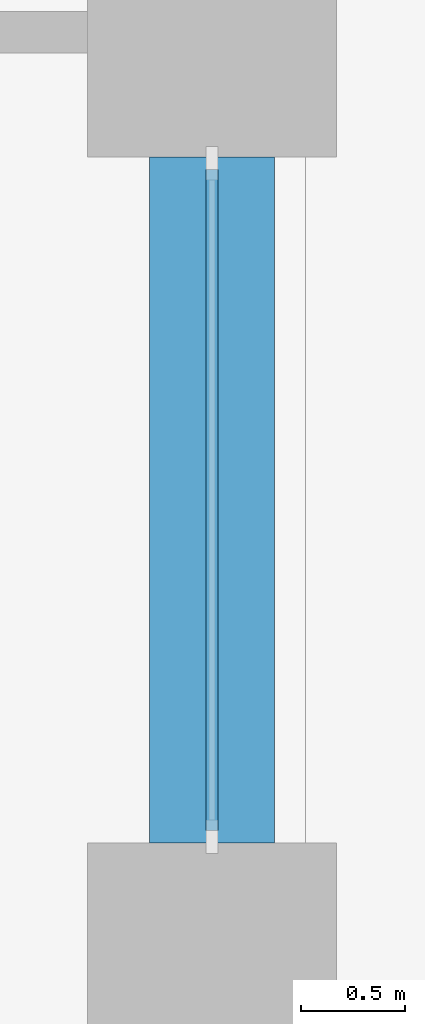
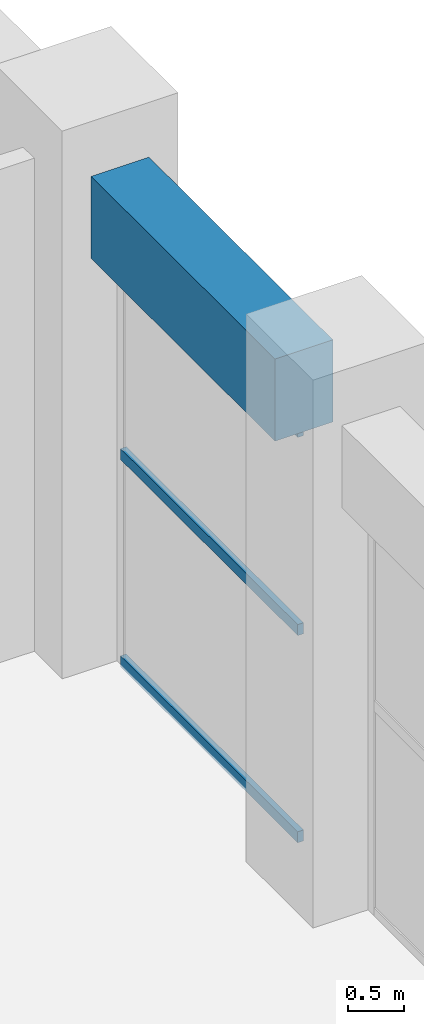
# One storey, part 5 of 24: 3 members, 1 beam, 1 element without a shape of its own.
"""IFC4 building model written with IfcOpenShell, lengths in metres."""

import ifcopenshell
import ifcopenshell.guid

model = None  # the IFC model being written
_history = None  # IfcOwnerHistory: only IFC2X3 demands one
_inside = {}  # id of a spatial element -> (the spatial element, [elements in it])
_under = {}  # id of a project, library or spatial element -> (it, [spatial elements below it])
_declared = {}  # id of a project -> (the project, [libraries it declares])
_typed = {}  # id of a type object -> (the type object, [elements of that type])
_made_of = {}  # id of a material, layer set ... -> (it, [elements and type objects made of it])


def new_model(schema):
    """Start an empty IFC model of exactly this schema.

    Asked for "IFC4X3", IfcOpenShell would pick the latest addendum, in which some entities
    have other attributes; the version numbers below select the first issue.
    IFC2X3 requires an IfcOwnerHistory on every rooted entity: one is made here for all.
    """
    global model, _history
    if schema == "IFC4X3":
        model = ifcopenshell.file(schema_version=(4, 3, 0, 0))
    else:
        model = ifcopenshell.file(schema=schema)
    _inside.clear()
    _under.clear()
    _declared.clear()
    _typed.clear()
    _made_of.clear()
    _history = None
    if model.schema == "IFC2X3":
        org = make("IfcOrganization", Name="unknown")
        user = make(
            "IfcPersonAndOrganization",
            ThePerson=make("IfcPerson", FamilyName="unknown"),
            TheOrganization=org,
        )
        app = make(
            "IfcApplication",
            ApplicationDeveloper=org,
            Version="unknown",
            ApplicationFullName="unknown",
            ApplicationIdentifier="unknown",
        )
        _history = make(
            "IfcOwnerHistory",
            OwningUser=user,
            OwningApplication=app,
            ChangeAction="ADDED",
            CreationDate=0,
        )
    return model


def make(cls, **values):
    """One entity of the class cls with the attributes given. An attribute that is None is left unset."""
    return model.create_entity(
        cls, **{name: value for name, value in values.items() if value is not None}
    )


def rooted(cls, **values):
    """An entity with a GlobalId (a new one), such as an element, a storey or a relation."""
    return make(cls, GlobalId=ifcopenshell.guid.new(), OwnerHistory=_history, **values)


def si_unit(unit_type, name, prefix=None):
    """IfcSIUnit, for example si_unit("LENGTHUNIT", "METRE", prefix="MILLI")."""
    return make("IfcSIUnit", UnitType=unit_type, Prefix=prefix, Name=name)


def assignment(units):
    """IfcUnitAssignment: the units of a project."""
    return None if units is None else make("IfcUnitAssignment", Units=units)


def point(xyz):
    """IfcCartesianPoint."""
    return None if xyz is None else make("IfcCartesianPoint", Coordinates=xyz)


def direction(xyz):
    """IfcDirection."""
    return None if xyz is None else make("IfcDirection", DirectionRatios=xyz)


def frame(location, z_axis=None, x_axis=None):
    """IfcAxis2Placement3D, a coordinate frame: its origin and axes. An axis left out is left unset."""
    return make(
        "IfcAxis2Placement3D",
        Location=point(location),
        Axis=direction(z_axis),
        RefDirection=direction(x_axis),
    )


def frame_2d(location, x_axis=None):
    """IfcAxis2Placement2D, a coordinate frame in the plane: its origin and x axis."""
    return make(
        "IfcAxis2Placement2D", Location=point(location), RefDirection=direction(x_axis)
    )


def origin():
    """The frame at (0, 0, 0) with its axes left unset."""
    return frame((0.0, 0.0, 0.0))


def origin_2d():
    """The frame at (0, 0) in the plane with its x axis left unset."""
    return frame_2d((0.0, 0.0))


def place(relative_to, where):
    """IfcLocalPlacement: puts the frame where relative to a parent placement (None: the world)."""
    return make(
        "IfcLocalPlacement", PlacementRelTo=relative_to, RelativePlacement=where
    )


def context(
    kind, dimensions, precision=None, world=None, true_north=None, identifier=None
):
    """IfcGeometricRepresentationContext, for example the 3D "Model" context."""
    return make(
        "IfcGeometricRepresentationContext",
        ContextIdentifier=identifier,
        ContextType=kind,
        CoordinateSpaceDimension=dimensions,
        Precision=precision,
        WorldCoordinateSystem=world,
        TrueNorth=true_north,
    )


def subcontext(parent, identifier, kind, view, scale=None):
    """IfcGeometricRepresentationSubContext, for example "Body" below "Model"."""
    return make(
        "IfcGeometricRepresentationSubContext",
        ContextIdentifier=identifier,
        ContextType=kind,
        ParentContext=parent,
        TargetScale=scale,
        TargetView=view,
    )


def project(units=None, contexts=None):
    """IfcProject with its units and contexts."""
    return rooted(
        "IfcProject",
        Name="project",
        RepresentationContexts=contexts,
        UnitsInContext=assignment(units),
    )


def spatial(cls, under=None, at=None, **own):
    """A site, building, storey or space (cls), placed at a placement, below another one or the project."""
    s = rooted(cls, ObjectPlacement=at, **own)
    if under is not None:
        _under.setdefault(under.id(), (under, []))[1].append(s)
    return s


def profile(cls, at=None, kind="AREA", **sizes):
    """A parametric profile (cls). Its sizes go by their IFC names, for example OverallWidth=200.0."""
    return make(cls, ProfileType=kind, Position=at, **sizes)


def rectangle(**sizes):
    """IfcRectangleProfileDef."""
    return profile("IfcRectangleProfileDef", **sizes)


def extrude(swept, where, along, depth):
    """IfcExtrudedAreaSolid: the profile swept, set in the frame where, extruded along a direction by depth."""
    return make(
        "IfcExtrudedAreaSolid",
        SweptArea=swept,
        Position=where,
        ExtrudedDirection=direction(along),
        Depth=depth,
    )


def shape(context_of_items, identifier, shape_type, items):
    """IfcShapeRepresentation: the items that make up one representation, for example the "Body"."""
    return make(
        "IfcShapeRepresentation",
        ContextOfItems=context_of_items,
        RepresentationIdentifier=identifier,
        RepresentationType=shape_type,
        Items=items,
    )


def material(Name=None, Category=None):
    """IfcMaterial."""
    return make("IfcMaterial", Name=Name, Category=Category)


def material_profile(
    of_material, cross_section, Name=None, Category=None, Priority=None
):
    """IfcMaterialProfile: a cross section and its material."""
    return make(
        "IfcMaterialProfile",
        Name=Name,
        Material=of_material,
        Profile=cross_section,
        Priority=Priority,
        Category=Category,
    )


def profile_set(profiles, Name=None, composite=None):
    """IfcMaterialProfileSet."""
    return make(
        "IfcMaterialProfileSet",
        Name=Name,
        MaterialProfiles=profiles,
        CompositeProfile=composite,
    )


def made_of(thing, what):
    """Note that an element or type object is made of a material, layer set ...; save() writes the relation."""
    if what is not None:
        _made_of.setdefault(what.id(), (what, []))[1].append(thing)
    return thing


def type_object(cls, material=None, **own):
    """A type object (cls), such as IfcWallType, which elements share."""
    return made_of(rooted(cls, **own), material)


def element(
    cls,
    number,
    at=None,
    inside=None,
    cuts=None,
    type_object=None,
    material=None,
    context=None,
    identifier="Body",
    shape_type=None,
    held_by="IfcProductDefinitionShape",
    body=None,
    shapes=None,
    **own,
):
    """One element of the class cls, such as IfcWall. Its Tag is "e" and its number.

    at: its placement. inside: the storey or other place that contains it. cuts: it is an
    opening in that element (IfcRelVoidsElement). A single representation is given by context,
    identifier, shape_type and body (its items); several are given by shapes. held_by: the class
    of the entity that holds the representations. save() writes the other relations.
    """
    e = rooted(cls, Tag="e%d" % number, ObjectPlacement=at, **own)
    if body is not None:
        shapes = [shape(context, identifier, shape_type, body)]
    if shapes is not None:
        e.Representation = make(held_by, Representations=shapes)
    if inside is not None:
        _inside.setdefault(inside.id(), (inside, []))[1].append(e)
    if cuts is not None:
        rooted(
            "IfcRelVoidsElement", RelatingBuildingElement=cuts, RelatedOpeningElement=e
        )
    if type_object is not None:
        _typed.setdefault(type_object.id(), (type_object, []))[1].append(e)
    return made_of(e, material)


def aggregate(whole, parts):
    """IfcRelAggregates: a whole, such as a stair, and the parts it consists of."""
    return rooted("IfcRelAggregates", RelatingObject=whole, RelatedObjects=parts)


def save(model, path):
    """Write the relations noted so far, then the file.

    IfcRelAggregates (storeys below a building ...), IfcRelContainedInSpatialStructure (elements
    in a storey), IfcRelDefinesByType, IfcRelAssociatesMaterial and IfcRelDeclares: one each for
    every whole, place, type object, material and project.
    """
    for whole, parts in _under.values():
        aggregate(whole, parts)
    for where, things in _inside.values():
        rooted(
            "IfcRelContainedInSpatialStructure",
            RelatedElements=things,
            RelatingStructure=where,
        )
    for kind, things in _typed.values():
        rooted("IfcRelDefinesByType", RelatedObjects=things, RelatingType=kind)
    for what, things in _made_of.values():
        rooted("IfcRelAssociatesMaterial", RelatedObjects=things, RelatingMaterial=what)
    for by, libraries in _declared.values():
        rooted("IfcRelDeclares", RelatingContext=by, RelatedDefinitions=libraries)
    model.write(path)


model = new_model("IFC4")

# Units and contexts
model_context = context("Model", 3, precision=1e-05, world=origin(), true_north=direction((0.0, 1.0)))
body_context = subcontext(model_context, "Body", "Model", "MODEL_VIEW")
ifc_project = project(units=[si_unit("LENGTHUNIT", "METRE"), si_unit("AREAUNIT", "SQUARE_METRE"), si_unit("VOLUMEUNIT", "CUBIC_METRE"), si_unit("PLANEANGLEUNIT", "RADIAN"), si_unit("MASSUNIT", "GRAM", prefix="KILO")], contexts=[model_context])

# Site, building, storey
site_placement = place(None, origin())
site = spatial("IfcSite", under=ifc_project, at=site_placement, CompositionType="ELEMENT")
building_placement = place(site_placement, origin())
building = spatial("IfcBuilding", under=site, at=building_placement, Name="Corbel Stack Research Tower", CompositionType="ELEMENT")
storey_placement = place(building_placement, frame((0.0, 0.0, 145.39990234375)))
storey = spatial("IfcBuildingStorey", under=building, at=storey_placement, Name="L33", CompositionType="ELEMENT", Elevation=145.39990234375)

# Curtain wall, members
ifc_material_1 = material(Name="Aluminium frame, clear glass", Category="aluminium")
curtain_wall_type = type_object("IfcCurtainWallType", Name="Amenity floor curtain wall CW2", PredefinedType="NOTDEFINED", material=ifc_material_1)
curtain_wall_placement = place(storey_placement, origin())
curtain_wall = element("IfcCurtainWall", 1, at=curtain_wall_placement, inside=storey, type_object=curtain_wall_type, Name="Curtain wall CW2 L33 E06", PredefinedType="NOTDEFINED")
ifc_material_2 = material(Name="Aluminium transom", Category="aluminium")
ifc_material_profile_1 = material_profile(ifc_material_2, rectangle(XDim=0.06005859375, YDim=0.1201171875, at=origin_2d()), Name="Transom 60 x 120")
ifc_profile_set_1 = profile_set([ifc_material_profile_1], Name="Aluminium transom")
member_type = type_object("IfcMemberType", Name="Curtain wall transom 60 x 120", PredefinedType="USERDEFINED", material=ifc_profile_set_1)
member_1_placement = place(storey_placement, frame((27.0, 5.159912109375, 0.030029296875), z_axis=(0.0, 1.0, 0.0), x_axis=(-1.0, 0.0, 0.0)))
member_1 = element("IfcMember", 2, at=member_1_placement, type_object=member_type, Name="CW2 L33 E06 transom 1.1", ObjectType="TRANSOM", PredefinedType="USERDEFINED", context=body_context, shape_type="SweptSolid", body=[
    extrude(rectangle(XDim=0.06005859375, YDim=0.1201171875, at=origin_2d()), origin(), (0.0, 0.0, 1.0), 3.18017578125),
])
member_2_placement = place(storey_placement, frame((27.0, 5.159912109375, 2.300048828125), z_axis=(0.0, 1.0, 0.0), x_axis=(-1.0, 0.0, 0.0)))
member_2 = element("IfcMember", 3, at=member_2_placement, type_object=member_type, Name="CW2 L33 E06 transom 1.2", ObjectType="TRANSOM", PredefinedType="USERDEFINED", context=body_context, shape_type="SweptSolid", body=[
    extrude(rectangle(XDim=0.06005859375, YDim=0.1201171875, at=origin_2d()), origin(), (0.0, 0.0, 1.0), 3.18017578125),
])
member_3_placement = place(storey_placement, frame((27.0, 5.159912109375, 4.47021484375), z_axis=(0.0, 1.0, 0.0), x_axis=(-1.0, 0.0, 0.0)))
member_3 = element("IfcMember", 4, at=member_3_placement, type_object=member_type, Name="CW2 L33 E06 transom 1.3", ObjectType="TRANSOM", PredefinedType="USERDEFINED", context=body_context, shape_type="SweptSolid", body=[
    extrude(rectangle(XDim=0.06005859375, YDim=0.1201171875, at=origin_2d()), origin(), (0.0, 0.0, 1.0), 3.18017578125),
])
aggregate(curtain_wall, [member_1, member_2, member_3])

# Beam
ifc_material_3 = material(Name="Concrete C60/75", Category="concrete")
ifc_material_profile_2 = material_profile(ifc_material_3, rectangle(XDim=0.60009765625, YDim=0.89990234375, at=origin_2d()), Name="RC 600 x 900")
ifc_profile_set_2 = profile_set([ifc_material_profile_2], Name="Concrete C60/75")
beam_type = type_object("IfcBeamType", Name="SB-600-900-600", PredefinedType="SPANDREL", material=ifc_profile_set_2)
beam_placement = place(storey_placement, frame((27.0, 5.10009765625, 4.9501953125), z_axis=(0.0, 1.0, 0.0), x_axis=(-1.0, 0.0, 0.0)))
element("IfcBeam", 5, at=beam_placement, inside=storey, type_object=beam_type, Name="Spandrel beam L33-17", PredefinedType="SPANDREL", context=body_context, shape_type="SweptSolid", body=[
    extrude(rectangle(XDim=0.60009765625, YDim=0.89990234375, at=origin_2d()), origin(), (0.0, 0.0, 1.0), 3.2998046875),
])

save(model, "model.ifc")
